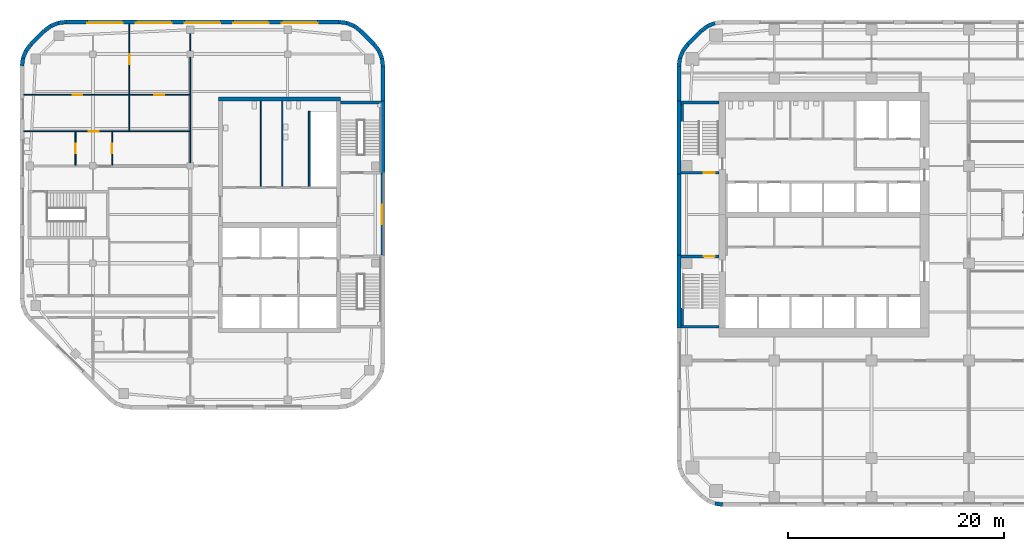
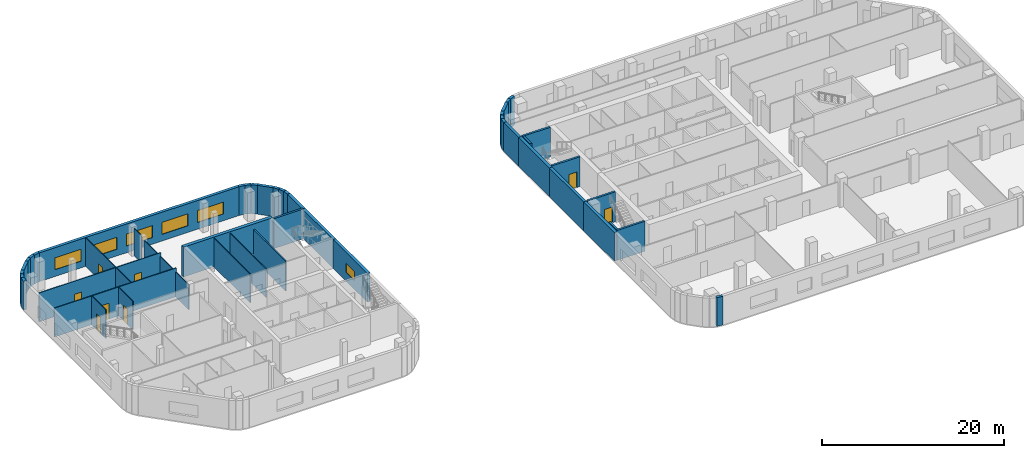
# One storey, part 7 of 14: 50 walls, 8 doors, 6 windows, 14 openings.
"""IFC4 building model written with IfcOpenShell, lengths in metres."""

import ifcopenshell
import ifcopenshell.guid

model = None  # the IFC model being written
_history = None  # IfcOwnerHistory: only IFC2X3 demands one
_inside = {}  # id of a spatial element -> (the spatial element, [elements in it])
_under = {}  # id of a project, library or spatial element -> (it, [spatial elements below it])
_declared = {}  # id of a project -> (the project, [libraries it declares])
_typed = {}  # id of a type object -> (the type object, [elements of that type])
_made_of = {}  # id of a material, layer set ... -> (it, [elements and type objects made of it])


def new_model(schema):
    """Start an empty IFC model of exactly this schema.

    Asked for "IFC4X3", IfcOpenShell would pick the latest addendum, in which some entities
    have other attributes; the version numbers below select the first issue.
    IFC2X3 requires an IfcOwnerHistory on every rooted entity: one is made here for all.
    """
    global model, _history
    if schema == "IFC4X3":
        model = ifcopenshell.file(schema_version=(4, 3, 0, 0))
    else:
        model = ifcopenshell.file(schema=schema)
    _inside.clear()
    _under.clear()
    _declared.clear()
    _typed.clear()
    _made_of.clear()
    _history = None
    if model.schema == "IFC2X3":
        org = make("IfcOrganization", Name="unknown")
        user = make(
            "IfcPersonAndOrganization",
            ThePerson=make("IfcPerson", FamilyName="unknown"),
            TheOrganization=org,
        )
        app = make(
            "IfcApplication",
            ApplicationDeveloper=org,
            Version="unknown",
            ApplicationFullName="unknown",
            ApplicationIdentifier="unknown",
        )
        _history = make(
            "IfcOwnerHistory",
            OwningUser=user,
            OwningApplication=app,
            ChangeAction="ADDED",
            CreationDate=0,
        )
    return model


def make(cls, **values):
    """One entity of the class cls with the attributes given. An attribute that is None is left unset."""
    return model.create_entity(
        cls, **{name: value for name, value in values.items() if value is not None}
    )


def rooted(cls, **values):
    """An entity with a GlobalId (a new one), such as an element, a storey or a relation."""
    return make(cls, GlobalId=ifcopenshell.guid.new(), OwnerHistory=_history, **values)


def si_unit(unit_type, name, prefix=None):
    """IfcSIUnit, for example si_unit("LENGTHUNIT", "METRE", prefix="MILLI")."""
    return make("IfcSIUnit", UnitType=unit_type, Prefix=prefix, Name=name)


def assignment(units):
    """IfcUnitAssignment: the units of a project."""
    return None if units is None else make("IfcUnitAssignment", Units=units)


def point(xyz):
    """IfcCartesianPoint."""
    return None if xyz is None else make("IfcCartesianPoint", Coordinates=xyz)


def direction(xyz):
    """IfcDirection."""
    return None if xyz is None else make("IfcDirection", DirectionRatios=xyz)


def frame(location, z_axis=None, x_axis=None):
    """IfcAxis2Placement3D, a coordinate frame: its origin and axes. An axis left out is left unset."""
    return make(
        "IfcAxis2Placement3D",
        Location=point(location),
        Axis=direction(z_axis),
        RefDirection=direction(x_axis),
    )


def frame_2d(location, x_axis=None):
    """IfcAxis2Placement2D, a coordinate frame in the plane: its origin and x axis."""
    return make(
        "IfcAxis2Placement2D", Location=point(location), RefDirection=direction(x_axis)
    )


def origin():
    """The frame at (0, 0, 0) with its axes left unset."""
    return frame((0.0, 0.0, 0.0))


def place(relative_to, where):
    """IfcLocalPlacement: puts the frame where relative to a parent placement (None: the world)."""
    return make(
        "IfcLocalPlacement", PlacementRelTo=relative_to, RelativePlacement=where
    )


def context(
    kind, dimensions, precision=None, world=None, true_north=None, identifier=None
):
    """IfcGeometricRepresentationContext, for example the 3D "Model" context."""
    return make(
        "IfcGeometricRepresentationContext",
        ContextIdentifier=identifier,
        ContextType=kind,
        CoordinateSpaceDimension=dimensions,
        Precision=precision,
        WorldCoordinateSystem=world,
        TrueNorth=true_north,
    )


def subcontext(parent, identifier, kind, view, scale=None):
    """IfcGeometricRepresentationSubContext, for example "Body" below "Model"."""
    return make(
        "IfcGeometricRepresentationSubContext",
        ContextIdentifier=identifier,
        ContextType=kind,
        ParentContext=parent,
        TargetScale=scale,
        TargetView=view,
    )


def project(units=None, contexts=None):
    """IfcProject with its units and contexts."""
    return rooted(
        "IfcProject",
        Name="project",
        RepresentationContexts=contexts,
        UnitsInContext=assignment(units),
    )


def spatial(cls, under=None, at=None, **own):
    """A site, building, storey or space (cls), placed at a placement, below another one or the project."""
    s = rooted(cls, ObjectPlacement=at, **own)
    if under is not None:
        _under.setdefault(under.id(), (under, []))[1].append(s)
    return s


def profile(cls, at=None, kind="AREA", **sizes):
    """A parametric profile (cls). Its sizes go by their IFC names, for example OverallWidth=200.0."""
    return make(cls, ProfileType=kind, Position=at, **sizes)


def rectangle(**sizes):
    """IfcRectangleProfileDef."""
    return profile("IfcRectangleProfileDef", **sizes)


def extrude(swept, where, along, depth):
    """IfcExtrudedAreaSolid: the profile swept, set in the frame where, extruded along a direction by depth."""
    return make(
        "IfcExtrudedAreaSolid",
        SweptArea=swept,
        Position=where,
        ExtrudedDirection=direction(along),
        Depth=depth,
    )


def shape(context_of_items, identifier, shape_type, items):
    """IfcShapeRepresentation: the items that make up one representation, for example the "Body"."""
    return make(
        "IfcShapeRepresentation",
        ContextOfItems=context_of_items,
        RepresentationIdentifier=identifier,
        RepresentationType=shape_type,
        Items=items,
    )


def material(Name=None, Category=None):
    """IfcMaterial."""
    return make("IfcMaterial", Name=Name, Category=Category)


def layer(
    of_material, thickness, ventilated=None, Name=None, Category=None, Priority=None
):
    """IfcMaterialLayer: one layer of a wall or slab, of a material (None: an air gap)."""
    return make(
        "IfcMaterialLayer",
        Material=of_material,
        LayerThickness=thickness,
        IsVentilated=ventilated,
        Name=Name,
        Category=Category,
        Priority=Priority,
    )


def layer_set(layers, Name=None):
    """IfcMaterialLayerSet."""
    return make("IfcMaterialLayerSet", MaterialLayers=layers, LayerSetName=Name)


def made_of(thing, what):
    """Note that an element or type object is made of a material, layer set ...; save() writes the relation."""
    if what is not None:
        _made_of.setdefault(what.id(), (what, []))[1].append(thing)
    return thing


def type_object(cls, material=None, **own):
    """A type object (cls), such as IfcWallType, which elements share."""
    return made_of(rooted(cls, **own), material)


def element(
    cls,
    number,
    at=None,
    inside=None,
    cuts=None,
    type_object=None,
    material=None,
    context=None,
    identifier="Body",
    shape_type=None,
    held_by="IfcProductDefinitionShape",
    body=None,
    shapes=None,
    **own,
):
    """One element of the class cls, such as IfcWall. Its Tag is "e" and its number.

    at: its placement. inside: the storey or other place that contains it. cuts: it is an
    opening in that element (IfcRelVoidsElement). A single representation is given by context,
    identifier, shape_type and body (its items); several are given by shapes. held_by: the class
    of the entity that holds the representations. save() writes the other relations.
    """
    e = rooted(cls, Tag="e%d" % number, ObjectPlacement=at, **own)
    if body is not None:
        shapes = [shape(context, identifier, shape_type, body)]
    if shapes is not None:
        e.Representation = make(held_by, Representations=shapes)
    if inside is not None:
        _inside.setdefault(inside.id(), (inside, []))[1].append(e)
    if cuts is not None:
        rooted(
            "IfcRelVoidsElement", RelatingBuildingElement=cuts, RelatedOpeningElement=e
        )
    if type_object is not None:
        _typed.setdefault(type_object.id(), (type_object, []))[1].append(e)
    return made_of(e, material)


def fill(opening, filler):
    """IfcRelFillsElement: the door or window that sits in an opening."""
    return rooted(
        "IfcRelFillsElement",
        RelatingOpeningElement=opening,
        RelatedBuildingElement=filler,
    )


def aggregate(whole, parts):
    """IfcRelAggregates: a whole, such as a stair, and the parts it consists of."""
    return rooted("IfcRelAggregates", RelatingObject=whole, RelatedObjects=parts)


def save(model, path):
    """Write the relations noted so far, then the file.

    IfcRelAggregates (storeys below a building ...), IfcRelContainedInSpatialStructure (elements
    in a storey), IfcRelDefinesByType, IfcRelAssociatesMaterial and IfcRelDeclares: one each for
    every whole, place, type object, material and project.
    """
    for whole, parts in _under.values():
        aggregate(whole, parts)
    for where, things in _inside.values():
        rooted(
            "IfcRelContainedInSpatialStructure",
            RelatedElements=things,
            RelatingStructure=where,
        )
    for kind, things in _typed.values():
        rooted("IfcRelDefinesByType", RelatedObjects=things, RelatingType=kind)
    for what, things in _made_of.values():
        rooted("IfcRelAssociatesMaterial", RelatedObjects=things, RelatingMaterial=what)
    for by, libraries in _declared.values():
        rooted("IfcRelDeclares", RelatingContext=by, RelatedDefinitions=libraries)
    model.write(path)


model = new_model("IFC4")

# Units and contexts
model_context = context("Model", 3, precision=1e-05, world=origin(), true_north=direction((0.0, 1.0)))
body_context = subcontext(model_context, "Body", "Model", "MODEL_VIEW")
ifc_project = project(units=[si_unit("LENGTHUNIT", "METRE"), si_unit("AREAUNIT", "SQUARE_METRE"), si_unit("VOLUMEUNIT", "CUBIC_METRE"), si_unit("PLANEANGLEUNIT", "RADIAN"), si_unit("MASSUNIT", "GRAM", prefix="KILO")], contexts=[model_context])

# Site, building, storey
site_placement = place(None, origin())
site = spatial("IfcSite", under=ifc_project, at=site_placement, CompositionType="ELEMENT")
building_placement = place(site_placement, origin())
building = spatial("IfcBuilding", under=site, at=building_placement, Name="Cinnabar Reach Civic Tower", CompositionType="ELEMENT")
storey_placement = place(building_placement, frame((0.0, 0.0, 108.0)))
storey = spatial("IfcBuildingStorey", under=building, at=storey_placement, Name="L25", CompositionType="ELEMENT", Elevation=108.0)

# Walls
ifc_material_1 = material(Name="Facing brick with insulated backing", Category="masonry")
ifc_layer_1 = layer(ifc_material_1, 0.36)
ifc_layer_set_1 = layer_set([ifc_layer_1], Name="Brick corner wall")
wall_type_1 = type_object("IfcWallType", Name="Brick corner wall", PredefinedType="STANDARD", material=ifc_layer_set_1)
wall_1_placement = place(storey_placement, frame((3.5027, 49.2181, 0.0), z_axis=(0.0, 0.0, 1.0), x_axis=(-0.923871547278, -0.382702709855, 0.0)))
element("IfcWall", 1, at=wall_1_placement, inside=storey, type_object=wall_type_1, Name="Brick corner wall", PredefinedType="STANDARD", context=body_context, shape_type="SweptSolid", body=[
    extrude(rectangle(XDim=0.7131, YDim=0.36, at=frame_2d((0.3565, 0.0))), origin(), (0.0, 0.0, 1.0), 3.85),
])
for number, where, z_axis, x_axis, name in (
    (2, (2.8245, 48.934, 0.0), (0.0, 0.0, 1.0), (-0.793321924995, -0.608802368033, 0.0), "Brick corner wall"),
    (3, (1.0002, 47.2413, 0.0), (0.0, 0.0, 1.0), (-0.608802368033, -0.793321924995, 0.0), "Brick corner wall"),
):
    element("IfcWall", number, at=place(storey_placement, frame(where, z_axis=z_axis, x_axis=x_axis)), inside=storey, type_object=wall_type_1, Name=name, PredefinedType="STANDARD", context=body_context, shape_type="SweptSolid", body=[
        extrude(rectangle(XDim=0.7132, YDim=0.36, at=frame_2d((0.3566, 0.0))), origin(), (0.0, 0.0, 1.0), 3.85),
    ])
for number, where, z_axis, x_axis, name in (
    (4, (0.5548, 46.6561, 0.0), (0.0, 0.0, 1.0), (-0.382702709855, -0.923871547278, 0.0), "Brick corner wall"),
    (5, (0.2761, 45.9756, 0.0), (0.0, 0.0, 1.0), (-0.13055608231, -0.99144092581, 0.0), "Brick corner wall"),
    (6, (3.5244, 4.7761, 0.0), (0.0, 0.0, 1.0), (0.99144092581, -0.13055608231, 0.0), "Brick corner wall"),
    (7, (-27.183, 45.2686, 0.0), (0.0, 0.0, 1.0), (-0.13055608231, 0.99144092581, 0.0), "Brick corner wall"),
    (8, (-27.2819, 45.9973, 0.0), (0.0, 0.0, 1.0), (-0.382702709855, 0.923871547278, 0.0), "Brick corner wall"),
):
    element("IfcWall", number, at=place(storey_placement, frame(where, z_axis=z_axis, x_axis=x_axis)), inside=storey, type_object=wall_type_1, Name=name, PredefinedType="STANDARD", context=body_context, shape_type="SweptSolid", body=[
        extrude(rectangle(XDim=0.7131, YDim=0.36, at=frame_2d((0.3565, 0.0))), origin(), (0.0, 0.0, 1.0), 3.85),
    ])
for number, where, z_axis, x_axis, name in (
    (9, (-27.566, 46.6755, 0.0), (0.0, 0.0, 1.0), (-0.608802368033, 0.793321924995, 0.0), "Brick corner wall"),
    (10, (-29.2587, 48.4998, 0.0), (0.0, 0.0, 1.0), (-0.793321924995, 0.608802368033, 0.0), "Brick corner wall"),
):
    element("IfcWall", number, at=place(storey_placement, frame(where, z_axis=z_axis, x_axis=x_axis)), inside=storey, type_object=wall_type_1, Name=name, PredefinedType="STANDARD", context=body_context, shape_type="SweptSolid", body=[
        extrude(rectangle(XDim=0.7132, YDim=0.36, at=frame_2d((0.3566, 0.0))), origin(), (0.0, 0.0, 1.0), 3.85),
    ])
for number, where, z_axis, x_axis, name in (
    (11, (-29.8439, 48.9452, 0.0), (0.0, 0.0, 1.0), (-0.923871547278, 0.382702709855, 0.0), "Brick corner wall"),
    (12, (-30.5244, 49.2239, 0.0), (0.0, 0.0, 1.0), (-0.99144092581, 0.13055608231, 0.0), "Brick corner wall"),
    (13, (-56.5186, 49.317, 0.0), (0.0, 0.0, 1.0), (-0.99144092581, -0.13055608231, 0.0), "Brick corner wall"),
    (14, (-57.2473, 49.2181, 0.0), (0.0, 0.0, 1.0), (-0.923871547278, -0.382702709855, 0.0), "Brick corner wall"),
):
    element("IfcWall", number, at=place(storey_placement, frame(where, z_axis=z_axis, x_axis=x_axis)), inside=storey, type_object=wall_type_1, Name=name, PredefinedType="STANDARD", context=body_context, shape_type="SweptSolid", body=[
        extrude(rectangle(XDim=0.7131, YDim=0.36, at=frame_2d((0.3565, 0.0))), origin(), (0.0, 0.0, 1.0), 3.85),
    ])
for number, where, z_axis, x_axis, name in (
    (15, (-57.9255, 48.934, 0.0), (0.0, 0.0, 1.0), (-0.793321924995, -0.608802368033, 0.0), "Brick corner wall"),
    (16, (-59.7498, 47.2413, 0.0), (0.0, 0.0, 1.0), (-0.608802368033, -0.793321924995, 0.0), "Brick corner wall"),
):
    element("IfcWall", number, at=place(storey_placement, frame(where, z_axis=z_axis, x_axis=x_axis)), inside=storey, type_object=wall_type_1, Name=name, PredefinedType="STANDARD", context=body_context, shape_type="SweptSolid", body=[
        extrude(rectangle(XDim=0.7132, YDim=0.36, at=frame_2d((0.3566, 0.0))), origin(), (0.0, 0.0, 1.0), 3.85),
    ])
for number, where, z_axis, x_axis, name in (
    (17, (-60.1952, 46.6561, 0.0), (0.0, 0.0, 1.0), (-0.382702709855, -0.923871547278, 0.0), "Brick corner wall"),
    (18, (-60.4739, 45.9756, 0.0), (0.0, 0.0, 1.0), (-0.13055608231, -0.99144092581, 0.0), "Brick corner wall"),
):
    element("IfcWall", number, at=place(storey_placement, frame(where, z_axis=z_axis, x_axis=x_axis)), inside=storey, type_object=wall_type_1, Name=name, PredefinedType="STANDARD", context=body_context, shape_type="SweptSolid", body=[
        extrude(rectangle(XDim=0.7131, YDim=0.36, at=frame_2d((0.3565, 0.0))), origin(), (0.0, 0.0, 1.0), 3.85),
    ])
ifc_layer_2 = layer(ifc_material_1, 0.36)
ifc_layer_set_2 = layer_set([ifc_layer_2], Name="Brick pier and spandrel wall")
wall_type_2 = type_object("IfcWallType", Name="Brick pier and spandrel wall", PredefinedType="STANDARD", material=ifc_layer_set_2)
wall_2_placement = place(storey_placement, frame((2.2486, 48.494, 0.0), z_axis=(0.0, 0.0, 1.0), x_axis=(-0.707106781187, -0.707106781187, 0.0)))
element("IfcWall", 19, at=wall_2_placement, inside=storey, type_object=wall_type_2, Name="Brick facade wall", PredefinedType="STANDARD", context=body_context, shape_type="SweptSolid", body=[
    extrude(rectangle(XDim=1.7573, YDim=0.36, at=frame_2d((0.8787, 0.0))), origin(), (0.0, 0.0, 1.0), 3.85),
])
wall_3_placement = place(storey_placement, frame((0.18, 45.2574, 0.0), z_axis=(0.0, 0.0, 1.0), x_axis=(0.0, -1.0, 0.0)))
element("IfcWall", 20, at=wall_3_placement, inside=storey, type_object=wall_type_2, Name="Brick facade wall", PredefinedType="STANDARD", context=body_context, shape_type="SweptSolid", body=[
    extrude(rectangle(XDim=3.2574, YDim=0.36, at=frame_2d((1.6287, 0.0))), origin(), (0.0, 0.0, 1.0), 3.85),
])
wall_4_placement = place(storey_placement, frame((0.18, 42.0, 0.0), z_axis=(0.0, 0.0, 1.0), x_axis=(0.0, -1.0, 0.0)))
element("IfcWall", 21, at=wall_4_placement, inside=storey, type_object=wall_type_2, Name="Brick facade wall", PredefinedType="STANDARD", context=body_context, shape_type="SweptSolid", body=[
    extrude(rectangle(XDim=6.75, YDim=0.36, at=frame_2d((3.375, 0.0))), origin(), (0.0, 0.0, 1.0), 3.85),
])
wall_5_placement = place(storey_placement, frame((0.18, 35.25, 0.0), z_axis=(0.0, 0.0, 1.0), x_axis=(0.0, -1.0, 0.0)))
element("IfcWall", 22, at=wall_5_placement, inside=storey, type_object=wall_type_2, Name="Brick facade wall", PredefinedType="STANDARD", context=body_context, shape_type="SweptSolid", body=[
    extrude(rectangle(XDim=7.5, YDim=0.36, at=frame_2d((3.75, 0.0))), origin(), (0.0, 0.0, 1.0), 3.85),
])
wall_6_placement = place(storey_placement, frame((0.18, 27.75, 0.0), z_axis=(0.0, 0.0, 1.0), x_axis=(0.0, -1.0, 0.0)))
element("IfcWall", 23, at=wall_6_placement, inside=storey, type_object=wall_type_2, Name="Brick facade wall", PredefinedType="STANDARD", context=body_context, shape_type="SweptSolid", body=[
    extrude(rectangle(XDim=6.75, YDim=0.36, at=frame_2d((3.375, 0.0))), origin(), (0.0, 0.0, 1.0), 3.85),
])

# Wall, opening, window
wall_7_placement = place(storey_placement, frame((-27.18, 27.75, 0.0), z_axis=(0.0, 0.0, 1.0), x_axis=(0.0, 1.0, 0.0)))
wall_7 = element("IfcWall", 24, at=wall_7_placement, inside=storey, type_object=wall_type_2, Name="Brick facade wall", PredefinedType="STANDARD", context=body_context, shape_type="SweptSolid", body=[
    extrude(rectangle(XDim=7.5, YDim=0.36, at=frame_2d((3.75, 0.0))), origin(), (0.0, 0.0, 1.0), 3.85),
])
opening_1_placement = place(wall_7_placement, frame((2.85, 0.0, 1.2)))
opening_1 = element("IfcOpeningElement", 25, at=opening_1_placement, cuts=wall_7, Name="Opening W2698", PredefinedType="OPENING", context=body_context, shape_type="SweptSolid", body=[
    extrude(rectangle(XDim=1.8, YDim=1.2, at=frame_2d((0.9, 0.6))), frame((0.0, 0.19, 0.0), z_axis=(0.0, -1.0, 0.0), x_axis=(1.0, 0.0, 0.0)), (0.0, 0.0, 1.0), 0.38),
])
ifc_material_2 = material(Name="Clear double glazing in aluminium frame", Category="aluminium")
window_type_1 = type_object("IfcWindowType", Name="Deep-set window C", PartitioningType="SINGLE_PANEL", PredefinedType="WINDOW", material=ifc_material_2)
window_1_placement = place(opening_1_placement, origin())
window_1 = element("IfcWindow", 26, at=window_1_placement, inside=storey, type_object=window_type_1, Name="Window east face", OverallHeight=1.2, OverallWidth=1.8, PartitioningType="SINGLE_PANEL", PredefinedType="WINDOW", context=body_context, shape_type="SweptSolid", body=[
    extrude(rectangle(XDim=1.8, YDim=1.2, at=frame_2d((0.9, 0.6))), frame((0.0, 0.13, 0.0), z_axis=(0.0, -1.0, 0.0), x_axis=(1.0, 0.0, 0.0)), (0.0, 0.0, 1.0), 0.06),
])
fill(opening_1, window_1)

# Walls
wall_8_placement = place(storey_placement, frame((-27.18, 35.25, 0.0), z_axis=(0.0, 0.0, 1.0), x_axis=(0.0, 1.0, 0.0)))
element("IfcWall", 27, at=wall_8_placement, inside=storey, type_object=wall_type_2, Name="Brick facade wall", PredefinedType="STANDARD", context=body_context, shape_type="SweptSolid", body=[
    extrude(rectangle(XDim=6.75, YDim=0.36, at=frame_2d((3.375, 0.0))), origin(), (0.0, 0.0, 1.0), 3.85),
])
wall_9_placement = place(storey_placement, frame((-27.18, 42.0, 0.0), z_axis=(0.0, 0.0, 1.0), x_axis=(0.0, 1.0, 0.0)))
element("IfcWall", 28, at=wall_9_placement, inside=storey, type_object=wall_type_2, Name="Brick facade wall", PredefinedType="STANDARD", context=body_context, shape_type="SweptSolid", body=[
    extrude(rectangle(XDim=3.2574, YDim=0.36, at=frame_2d((1.6287, 0.0))), origin(), (0.0, 0.0, 1.0), 3.85),
])
wall_10_placement = place(storey_placement, frame((-28.006, 47.2514, 0.0), z_axis=(0.0, 0.0, 1.0), x_axis=(-0.707106781187, 0.707106781187, 0.0)))
element("IfcWall", 29, at=wall_10_placement, inside=storey, type_object=wall_type_2, Name="Brick facade wall", PredefinedType="STANDARD", context=body_context, shape_type="SweptSolid", body=[
    extrude(rectangle(XDim=1.7573, YDim=0.36, at=frame_2d((0.8787, 0.0))), origin(), (0.0, 0.0, 1.0), 3.85),
])

# Wall, openings, windows
wall_11_placement = place(storey_placement, frame((-31.2426, 49.32, 0.0), z_axis=(0.0, 0.0, 1.0), x_axis=(-1.0, 0.0, 0.0)))
wall_11 = element("IfcWall", 30, at=wall_11_placement, inside=storey, type_object=wall_type_2, Name="Brick facade wall", PredefinedType="STANDARD", context=body_context, shape_type="SweptSolid", body=[
    extrude(rectangle(XDim=25.2648, YDim=0.36, at=frame_2d((12.6324, 0.0))), origin(), (0.0, 0.0, 1.0), 3.85),
])
opening_2_placement = place(wall_11_placement, frame((1.9824, 0.0, 0.9)))
opening_2 = element("IfcOpeningElement", 31, at=opening_2_placement, cuts=wall_11, Name="Opening W2699", PredefinedType="OPENING", context=body_context, shape_type="SweptSolid", body=[
    extrude(rectangle(XDim=3.3, YDim=1.6, at=frame_2d((1.65, 0.8))), frame((0.0, 0.19, 0.0), z_axis=(0.0, -1.0, 0.0), x_axis=(1.0, 0.0, 0.0)), (0.0, 0.0, 1.0), 0.38),
])
opening_3_placement = place(wall_11_placement, frame((6.4824, 0.0, 0.9)))
opening_3 = element("IfcOpeningElement", 32, at=opening_3_placement, cuts=wall_11, Name="Opening W2700", PredefinedType="OPENING", context=body_context, shape_type="SweptSolid", body=[
    extrude(rectangle(XDim=3.3, YDim=1.6, at=frame_2d((1.65, 0.8))), frame((0.0, 0.19, 0.0), z_axis=(0.0, -1.0, 0.0), x_axis=(1.0, 0.0, 0.0)), (0.0, 0.0, 1.0), 0.38),
])
opening_4_placement = place(wall_11_placement, frame((10.9824, 0.0, 0.9)))
opening_4 = element("IfcOpeningElement", 33, at=opening_4_placement, cuts=wall_11, Name="Opening W2701", PredefinedType="OPENING", context=body_context, shape_type="SweptSolid", body=[
    extrude(rectangle(XDim=3.3, YDim=1.6, at=frame_2d((1.65, 0.8))), frame((0.0, 0.19, 0.0), z_axis=(0.0, -1.0, 0.0), x_axis=(1.0, 0.0, 0.0)), (0.0, 0.0, 1.0), 0.38),
])
opening_5_placement = place(wall_11_placement, frame((15.4824, 0.0, 0.9)))
opening_5 = element("IfcOpeningElement", 34, at=opening_5_placement, cuts=wall_11, Name="Opening W2702", PredefinedType="OPENING", context=body_context, shape_type="SweptSolid", body=[
    extrude(rectangle(XDim=3.3, YDim=1.6, at=frame_2d((1.65, 0.8))), frame((0.0, 0.19, 0.0), z_axis=(0.0, -1.0, 0.0), x_axis=(1.0, 0.0, 0.0)), (0.0, 0.0, 1.0), 0.38),
])
opening_6_placement = place(wall_11_placement, frame((19.9824, 0.0, 0.9)))
opening_6 = element("IfcOpeningElement", 35, at=opening_6_placement, cuts=wall_11, Name="Opening W2703", PredefinedType="OPENING", context=body_context, shape_type="SweptSolid", body=[
    extrude(rectangle(XDim=3.3, YDim=1.6, at=frame_2d((1.65, 0.8))), frame((0.0, 0.19, 0.0), z_axis=(0.0, -1.0, 0.0), x_axis=(1.0, 0.0, 0.0)), (0.0, 0.0, 1.0), 0.38),
])
window_type_2 = type_object("IfcWindowType", Name="Deep-set window A", PartitioningType="SINGLE_PANEL", PredefinedType="WINDOW", material=ifc_material_2)
window_2_placement = place(opening_2_placement, origin())
window_2 = element("IfcWindow", 36, at=window_2_placement, inside=storey, type_object=window_type_2, Name="Window north face", OverallHeight=1.6, OverallWidth=3.3, PartitioningType="SINGLE_PANEL", PredefinedType="WINDOW", context=body_context, shape_type="SweptSolid", body=[
    extrude(rectangle(XDim=3.3, YDim=1.6, at=frame_2d((1.65, 0.8))), frame((0.0, 0.13, 0.0), z_axis=(0.0, -1.0, 0.0), x_axis=(1.0, 0.0, 0.0)), (0.0, 0.0, 1.0), 0.06),
])
fill(opening_2, window_2)
window_3_placement = place(opening_3_placement, origin())
window_3 = element("IfcWindow", 37, at=window_3_placement, inside=storey, type_object=window_type_2, Name="Window north face", OverallHeight=1.6, OverallWidth=3.3, PartitioningType="SINGLE_PANEL", PredefinedType="WINDOW", context=body_context, shape_type="SweptSolid", body=[
    extrude(rectangle(XDim=3.3, YDim=1.6, at=frame_2d((1.65, 0.8))), frame((0.0, 0.13, 0.0), z_axis=(0.0, -1.0, 0.0), x_axis=(1.0, 0.0, 0.0)), (0.0, 0.0, 1.0), 0.06),
])
fill(opening_3, window_3)
window_4_placement = place(opening_4_placement, origin())
window_4 = element("IfcWindow", 38, at=window_4_placement, inside=storey, type_object=window_type_2, Name="Window north face", OverallHeight=1.6, OverallWidth=3.3, PartitioningType="SINGLE_PANEL", PredefinedType="WINDOW", context=body_context, shape_type="SweptSolid", body=[
    extrude(rectangle(XDim=3.3, YDim=1.6, at=frame_2d((1.65, 0.8))), frame((0.0, 0.13, 0.0), z_axis=(0.0, -1.0, 0.0), x_axis=(1.0, 0.0, 0.0)), (0.0, 0.0, 1.0), 0.06),
])
fill(opening_4, window_4)
window_5_placement = place(opening_5_placement, origin())
window_5 = element("IfcWindow", 39, at=window_5_placement, inside=storey, type_object=window_type_2, Name="Window north face", OverallHeight=1.6, OverallWidth=3.3, PartitioningType="SINGLE_PANEL", PredefinedType="WINDOW", context=body_context, shape_type="SweptSolid", body=[
    extrude(rectangle(XDim=3.3, YDim=1.6, at=frame_2d((1.65, 0.8))), frame((0.0, 0.13, 0.0), z_axis=(0.0, -1.0, 0.0), x_axis=(1.0, 0.0, 0.0)), (0.0, 0.0, 1.0), 0.06),
])
fill(opening_5, window_5)
window_6_placement = place(opening_6_placement, origin())
window_6 = element("IfcWindow", 40, at=window_6_placement, inside=storey, type_object=window_type_2, Name="Window north face", OverallHeight=1.6, OverallWidth=3.3, PartitioningType="SINGLE_PANEL", PredefinedType="WINDOW", context=body_context, shape_type="SweptSolid", body=[
    extrude(rectangle(XDim=3.3, YDim=1.6, at=frame_2d((1.65, 0.8))), frame((0.0, 0.13, 0.0), z_axis=(0.0, -1.0, 0.0), x_axis=(1.0, 0.0, 0.0)), (0.0, 0.0, 1.0), 0.06),
])
fill(opening_6, window_6)

# Walls
wall_12_placement = place(storey_placement, frame((-58.5014, 48.494, 0.0), z_axis=(0.0, 0.0, 1.0), x_axis=(-0.707106781187, -0.707106781187, 0.0)))
element("IfcWall", 41, at=wall_12_placement, inside=storey, type_object=wall_type_2, Name="Brick facade wall", PredefinedType="STANDARD", context=body_context, shape_type="SweptSolid", body=[
    extrude(rectangle(XDim=1.7573, YDim=0.36, at=frame_2d((0.8787, 0.0))), origin(), (0.0, 0.0, 1.0), 3.85),
])
ifc_material_3 = material(Name="Concrete C60", Category="concrete")
ifc_layer_3 = layer(ifc_material_3, 0.4)
ifc_layer_set_3 = layer_set([ifc_layer_3], Name="Core wall 400 EI 180")
wall_type_3 = type_object("IfcWallType", Name="Core wall 400 EI 180", PredefinedType="SOLIDWALL", material=ifc_layer_set_3)
wall_13_placement = place(storey_placement, frame((-31.1, 42.2, 0.0), z_axis=(0.0, 0.0, 1.0), x_axis=(-1.0, 0.0, 0.0)))
element("IfcWall", 42, at=wall_13_placement, inside=storey, type_object=wall_type_3, Name="Core wall T2 L25 N", PredefinedType="SOLIDWALL", context=body_context, shape_type="SweptSolid", body=[
    extrude(rectangle(XDim=11.3, YDim=0.4, at=frame_2d((5.65, 0.0))), origin(), (0.0, 0.0, 1.0), 4.0),
])

# Wall, opening, door
ifc_material_4 = material(Name="Gypsum board on steel studs", Category="steel")
ifc_layer_4 = layer(ifc_material_4, 0.1)
ifc_layer_set_4 = layer_set([ifc_layer_4], Name="Partition wall 100 T2")
wall_type_4 = type_object("IfcWallType", Name="Partition wall 100 T2", PredefinedType="PARTITIONING", material=ifc_layer_set_4)
wall_14_placement = place(storey_placement, frame((-60.39, 39.2, 0.0), z_axis=(0.0, 0.0, 1.0), x_axis=(1.0, 0.0, 0.0)))
wall_14 = element("IfcWall", 43, at=wall_14_placement, inside=storey, type_object=wall_type_4, Name="Partition wall 9", PredefinedType="PARTITIONING", context=body_context, shape_type="SweptSolid", body=[
    extrude(rectangle(XDim=15.44, YDim=0.1, at=frame_2d((7.72, 0.0))), origin(), (0.0, 0.0, 1.0), 3.85),
])
opening_7_placement = place(wall_14_placement, frame((6.0209, 0.0, 0.0)))
opening_7 = element("IfcOpeningElement", 44, at=opening_7_placement, cuts=wall_14, Name="Opening D6932", PredefinedType="OPENING", context=body_context, shape_type="SweptSolid", body=[
    extrude(rectangle(XDim=0.9, YDim=2.1, at=frame_2d((0.45, 1.05))), frame((0.0, 0.06, 0.0), z_axis=(0.0, -1.0, 0.0), x_axis=(1.0, 0.0, 0.0)), (0.0, 0.0, 1.0), 0.12),
])
ifc_material_5 = material(Name="Timber door leaf in steel frame", Category="steel")
door_type_1 = type_object("IfcDoorType", Name="Single swing door 900 x 2100 T2", OperationType="SINGLE_SWING_LEFT", PredefinedType="DOOR", material=ifc_material_5)
door_1_placement = place(opening_7_placement, frame((0.9, 0.0, 0.0), z_axis=(0.0, 0.0, 1.0), x_axis=(-1.0, 0.0, 0.0)))
door_1 = element("IfcDoor", 45, at=door_1_placement, inside=storey, type_object=door_type_1, Name="Door D6932", OperationType="SINGLE_SWING_LEFT", OverallHeight=2.1, OverallWidth=0.9, PredefinedType="DOOR", context=body_context, shape_type="SweptSolid", body=[
    extrude(rectangle(XDim=0.9, YDim=2.1, at=frame_2d((0.45, 1.05))), frame((0.0, 0.025, 0.0), z_axis=(0.0, -1.0, 0.0), x_axis=(1.0, 0.0, 0.0)), (0.0, 0.0, 1.0), 0.05),
])
fill(opening_7, door_1)

# Wall, openings, doors
wall_15_placement = place(storey_placement, frame((-60.39, 42.5681, 0.0), z_axis=(0.0, 0.0, 1.0), x_axis=(1.0, 0.0, 0.0)))
wall_15 = element("IfcWall", 46, at=wall_15_placement, inside=storey, type_object=wall_type_4, Name="Partition wall 10", PredefinedType="PARTITIONING", context=body_context, shape_type="SweptSolid", body=[
    extrude(rectangle(XDim=15.44, YDim=0.1, at=frame_2d((7.72, 0.0))), origin(), (0.0, 0.0, 1.0), 3.85),
])
opening_8_placement = place(wall_15_placement, frame((4.5, 0.0, 0.0)))
opening_8 = element("IfcOpeningElement", 47, at=opening_8_placement, cuts=wall_15, Name="Opening D6934", PredefinedType="OPENING", context=body_context, shape_type="SweptSolid", body=[
    extrude(rectangle(XDim=0.9, YDim=2.1, at=frame_2d((0.45, 1.05))), frame((0.0, 0.06, 0.0), z_axis=(0.0, -1.0, 0.0), x_axis=(1.0, 0.0, 0.0)), (0.0, 0.0, 1.0), 0.12),
])
opening_9_placement = place(wall_15_placement, frame((12.06, 0.0, 0.0)))
opening_9 = element("IfcOpeningElement", 48, at=opening_9_placement, cuts=wall_15, Name="Opening D6935", PredefinedType="OPENING", context=body_context, shape_type="SweptSolid", body=[
    extrude(rectangle(XDim=0.9, YDim=2.1, at=frame_2d((0.45, 1.05))), frame((0.0, 0.06, 0.0), z_axis=(0.0, -1.0, 0.0), x_axis=(1.0, 0.0, 0.0)), (0.0, 0.0, 1.0), 0.12),
])
door_2_placement = place(opening_8_placement, frame((0.9, 0.0, 0.0), z_axis=(0.0, 0.0, 1.0), x_axis=(-1.0, 0.0, 0.0)))
door_2 = element("IfcDoor", 49, at=door_2_placement, inside=storey, type_object=door_type_1, Name="Door D6934", OperationType="SINGLE_SWING_RIGHT", OverallHeight=2.1, OverallWidth=0.9, PredefinedType="DOOR", context=body_context, shape_type="SweptSolid", body=[
    extrude(rectangle(XDim=0.9, YDim=2.1, at=frame_2d((0.45, 1.05))), frame((0.0, 0.025, 0.0), z_axis=(0.0, -1.0, 0.0), x_axis=(1.0, 0.0, 0.0)), (0.0, 0.0, 1.0), 0.05),
])
fill(opening_8, door_2)
door_3_placement = place(opening_9_placement, origin())
door_3 = element("IfcDoor", 50, at=door_3_placement, inside=storey, type_object=door_type_1, Name="Door D6935", OperationType="SINGLE_SWING_RIGHT", OverallHeight=2.1, OverallWidth=0.9, PredefinedType="DOOR", context=body_context, shape_type="SweptSolid", body=[
    extrude(rectangle(XDim=0.9, YDim=2.1, at=frame_2d((0.45, 1.05))), frame((0.0, 0.025, 0.0), z_axis=(0.0, -1.0, 0.0), x_axis=(1.0, 0.0, 0.0)), (0.0, 0.0, 1.0), 0.05),
])
fill(opening_9, door_3)

# Walls
wall_16_placement = place(storey_placement, frame((-45.0, 42.6181, 0.0), z_axis=(0.0, 0.0, 1.0), x_axis=(0.0, 1.0, 0.0)))
element("IfcWall", 51, at=wall_16_placement, inside=storey, type_object=wall_type_4, Name="Partition wall 11", PredefinedType="PARTITIONING", context=body_context, shape_type="SweptSolid", body=[
    extrude(rectangle(XDim=3.4319, YDim=0.1, at=frame_2d((1.716, 0.0))), origin(), (0.0, 0.0, 1.0), 3.362),
])
wall_17_placement = place(storey_placement, frame((-45.0, 39.25, 0.0), z_axis=(0.0, 0.0, 1.0), x_axis=(0.0, 1.0, 0.0)))
element("IfcWall", 52, at=wall_17_placement, inside=storey, type_object=wall_type_4, Name="Partition wall 12", PredefinedType="PARTITIONING", context=body_context, shape_type="SweptSolid", body=[
    extrude(rectangle(XDim=3.2681, YDim=0.1, at=frame_2d((1.6341, 0.0))), origin(), (0.0, 0.0, 1.0), 3.362),
])
wall_18_placement = place(storey_placement, frame((-45.0, 36.3, 0.0), z_axis=(0.0, 0.0, 1.0), x_axis=(0.0, 1.0, 0.0)))
element("IfcWall", 53, at=wall_18_placement, inside=storey, type_object=wall_type_4, Name="Partition wall 13", PredefinedType="PARTITIONING", context=body_context, shape_type="SweptSolid", body=[
    extrude(rectangle(XDim=2.85, YDim=0.1, at=frame_2d((1.425, 0.0))), origin(), (0.0, 0.0, 1.0), 3.362),
])
wall_19_placement = place(storey_placement, frame((-45.0, 46.65, 0.0), z_axis=(0.0, 0.0, 1.0), x_axis=(0.0, 1.0, 0.0)))
element("IfcWall", 54, at=wall_19_placement, inside=storey, type_object=wall_type_4, Name="Partition wall 14", PredefinedType="PARTITIONING", context=body_context, shape_type="SweptSolid", body=[
    extrude(rectangle(XDim=1.6, YDim=0.1, at=frame_2d((0.8, 0.0))), origin(), (0.0, 0.0, 1.0), 3.652),
])
wall_20_placement = place(storey_placement, frame((-50.63, 39.25, 0.0), z_axis=(0.0, 0.0, 1.0), x_axis=(0.0, 1.0, 0.0)))
element("IfcWall", 55, at=wall_20_placement, inside=storey, type_object=wall_type_4, Name="Partition wall 15", PredefinedType="PARTITIONING", context=body_context, shape_type="SweptSolid", body=[
    extrude(rectangle(XDim=3.2681, YDim=0.1, at=frame_2d((1.6341, 0.0))), origin(), (0.0, 0.0, 1.0), 3.85),
])

# Wall, opening, door
wall_21_placement = place(storey_placement, frame((-50.63, 42.6181, 0.0), z_axis=(0.0, 0.0, 1.0), x_axis=(0.0, 1.0, 0.0)))
wall_21 = element("IfcWall", 56, at=wall_21_placement, inside=storey, type_object=wall_type_4, Name="Partition wall 16", PredefinedType="PARTITIONING", context=body_context, shape_type="SweptSolid", body=[
    extrude(rectangle(XDim=6.5219, YDim=0.1, at=frame_2d((3.2609, 0.0))), origin(), (0.0, 0.0, 1.0), 3.85),
])
opening_10_placement = place(wall_21_placement, frame((2.8, 0.0, 0.0)))
opening_10 = element("IfcOpeningElement", 57, at=opening_10_placement, cuts=wall_21, Name="Opening D6933", PredefinedType="OPENING", context=body_context, shape_type="SweptSolid", body=[
    extrude(rectangle(XDim=0.9, YDim=2.1, at=frame_2d((0.45, 1.05))), frame((0.0, 0.06, 0.0), z_axis=(0.0, -1.0, 0.0), x_axis=(1.0, 0.0, 0.0)), (0.0, 0.0, 1.0), 0.12),
])
door_4_placement = place(opening_10_placement, frame((0.9, 0.0, 0.0), z_axis=(0.0, 0.0, 1.0), x_axis=(-1.0, 0.0, 0.0)))
door_4 = element("IfcDoor", 58, at=door_4_placement, inside=storey, type_object=door_type_1, Name="Door D6933", OperationType="SINGLE_SWING_RIGHT", OverallHeight=2.1, OverallWidth=0.9, PredefinedType="DOOR", context=body_context, shape_type="SweptSolid", body=[
    extrude(rectangle(XDim=0.9, YDim=2.1, at=frame_2d((0.45, 1.05))), frame((0.0, 0.025, 0.0), z_axis=(0.0, -1.0, 0.0), x_axis=(1.0, 0.0, 0.0)), (0.0, 0.0, 1.0), 0.05),
])
fill(opening_10, door_4)

wall_22_placement = place(storey_placement, frame((-55.6191, 36.075, 0.0), z_axis=(0.0, 0.0, 1.0), x_axis=(0.0, 1.0, 0.0)))
wall_22 = element("IfcWall", 59, at=wall_22_placement, inside=storey, type_object=wall_type_4, Name="Partition wall 27", PredefinedType="PARTITIONING", context=body_context, shape_type="SweptSolid", body=[
    extrude(rectangle(XDim=3.075, YDim=0.1, at=frame_2d((1.5375, 0.0))), origin(), (0.0, 0.0, 1.0), 3.85),
])
opening_11_placement = place(wall_22_placement, frame((1.1, 0.0, 0.0)))
opening_11 = element("IfcOpeningElement", 60, at=opening_11_placement, cuts=wall_22, Name="Opening D6930", PredefinedType="OPENING", context=body_context, shape_type="SweptSolid", body=[
    extrude(rectangle(XDim=0.9, YDim=2.1, at=frame_2d((0.45, 1.05))), frame((0.0, 0.06, 0.0), z_axis=(0.0, -1.0, 0.0), x_axis=(1.0, 0.0, 0.0)), (0.0, 0.0, 1.0), 0.12),
])
door_5_placement = place(opening_11_placement, origin())
door_5 = element("IfcDoor", 61, at=door_5_placement, inside=storey, type_object=door_type_1, Name="Door D6930", OperationType="SINGLE_SWING_LEFT", OverallHeight=2.1, OverallWidth=0.9, PredefinedType="DOOR", context=body_context, shape_type="SweptSolid", body=[
    extrude(rectangle(XDim=0.9, YDim=2.1, at=frame_2d((0.45, 1.05))), frame((0.0, 0.025, 0.0), z_axis=(0.0, -1.0, 0.0), x_axis=(1.0, 0.0, 0.0)), (0.0, 0.0, 1.0), 0.05),
])
fill(opening_11, door_5)

wall_23_placement = place(storey_placement, frame((-52.2333, 36.075, 0.0), z_axis=(0.0, 0.0, 1.0), x_axis=(0.0, 1.0, 0.0)))
wall_23 = element("IfcWall", 62, at=wall_23_placement, inside=storey, type_object=wall_type_4, Name="Partition wall 28", PredefinedType="PARTITIONING", context=body_context, shape_type="SweptSolid", body=[
    extrude(rectangle(XDim=3.075, YDim=0.1, at=frame_2d((1.5375, 0.0))), origin(), (0.0, 0.0, 1.0), 3.85),
])
opening_12_placement = place(wall_23_placement, frame((1.1, 0.0, 0.0)))
opening_12 = element("IfcOpeningElement", 63, at=opening_12_placement, cuts=wall_23, Name="Opening D6931", PredefinedType="OPENING", context=body_context, shape_type="SweptSolid", body=[
    extrude(rectangle(XDim=0.9, YDim=2.1, at=frame_2d((0.45, 1.05))), frame((0.0, 0.06, 0.0), z_axis=(0.0, -1.0, 0.0), x_axis=(1.0, 0.0, 0.0)), (0.0, 0.0, 1.0), 0.12),
])
door_6_placement = place(opening_12_placement, origin())
door_6 = element("IfcDoor", 64, at=door_6_placement, inside=storey, type_object=door_type_1, Name="Door D6931", OperationType="SINGLE_SWING_LEFT", OverallHeight=2.1, OverallWidth=0.9, PredefinedType="DOOR", context=body_context, shape_type="SweptSolid", body=[
    extrude(rectangle(XDim=0.9, YDim=2.1, at=frame_2d((0.45, 1.05))), frame((0.0, 0.025, 0.0), z_axis=(0.0, -1.0, 0.0), x_axis=(1.0, 0.0, 0.0)), (0.0, 0.0, 1.0), 0.05),
])
fill(opening_12, door_6)

# Wall
ifc_layer_5 = layer(ifc_material_3, 0.25)
ifc_layer_set_5 = layer_set([ifc_layer_5], Name="Stair shaft wall 250 EI 120")
wall_type_5 = type_object("IfcWallType", Name="Stair shaft wall 250 EI 120", PredefinedType="SOLIDWALL", material=ifc_layer_set_5)
wall_24_placement = place(storey_placement, frame((0.36, 21.125, 0.0), z_axis=(0.0, 0.0, 1.0), x_axis=(1.0, 0.0, 0.0)))
element("IfcWall", 65, at=wall_24_placement, inside=storey, type_object=wall_type_5, Name="Stair shaft wall T1-S1 L25", PredefinedType="SOLIDWALL", context=body_context, shape_type="SweptSolid", body=[
    extrude(rectangle(XDim=3.54, YDim=0.25, at=frame_2d((1.77, 0.0))), origin(), (0.0, 0.0, 1.0), 4.0),
])

# Wall, opening, door
wall_25_placement = place(storey_placement, frame((3.9, 27.625, 0.0), z_axis=(0.0, 0.0, 1.0), x_axis=(-1.0, 0.0, 0.0)))
wall_25 = element("IfcWall", 66, at=wall_25_placement, inside=storey, type_object=wall_type_5, Name="Stair shaft wall T1-S1 L25", PredefinedType="SOLIDWALL", context=body_context, shape_type="SweptSolid", body=[
    extrude(rectangle(XDim=3.54, YDim=0.25, at=frame_2d((1.77, 0.0))), origin(), (0.0, 0.0, 1.0), 4.0),
])
opening_13_placement = place(wall_25_placement, frame((0.4, 0.0, 0.0)))
opening_13 = element("IfcOpeningElement", 67, at=opening_13_placement, cuts=wall_25, Name="Opening D4006", PredefinedType="OPENING", context=body_context, shape_type="SweptSolid", body=[
    extrude(rectangle(XDim=1.0, YDim=2.1, at=frame_2d((0.5, 1.05))), frame((0.0, 0.135, 0.0), z_axis=(0.0, -1.0, 0.0), x_axis=(1.0, 0.0, 0.0)), (0.0, 0.0, 1.0), 0.27),
])
door_type_2 = type_object("IfcDoorType", Name="Stair door 1000 x 2100 T1", OperationType="SINGLE_SWING_LEFT", PredefinedType="DOOR", material=ifc_material_5)
door_7_placement = place(opening_13_placement, origin())
door_7 = element("IfcDoor", 68, at=door_7_placement, inside=storey, type_object=door_type_2, Name="Door D4006", OperationType="SINGLE_SWING_LEFT", OverallHeight=2.1, OverallWidth=1.0, PredefinedType="DOOR", context=body_context, shape_type="SweptSolid", body=[
    extrude(rectangle(XDim=1.0, YDim=2.1, at=frame_2d((0.5, 1.05))), frame((0.0, 0.025, 0.0), z_axis=(0.0, -1.0, 0.0), x_axis=(1.0, 0.0, 0.0)), (0.0, 0.0, 1.0), 0.05),
])
fill(opening_13, door_7)

wall_26_placement = place(storey_placement, frame((0.36, 35.375, 0.0), z_axis=(0.0, 0.0, 1.0), x_axis=(1.0, 0.0, 0.0)))
wall_26 = element("IfcWall", 69, at=wall_26_placement, inside=storey, type_object=wall_type_5, Name="Stair shaft wall T1-S2 L25", PredefinedType="SOLIDWALL", context=body_context, shape_type="SweptSolid", body=[
    extrude(rectangle(XDim=3.54, YDim=0.25, at=frame_2d((1.77, 0.0))), origin(), (0.0, 0.0, 1.0), 4.0),
])
opening_14_placement = place(wall_26_placement, frame((2.14, 0.0, 0.0)))
opening_14 = element("IfcOpeningElement", 70, at=opening_14_placement, cuts=wall_26, Name="Opening D4008", PredefinedType="OPENING", context=body_context, shape_type="SweptSolid", body=[
    extrude(rectangle(XDim=1.0, YDim=2.1, at=frame_2d((0.5, 1.05))), frame((0.0, 0.135, 0.0), z_axis=(0.0, -1.0, 0.0), x_axis=(1.0, 0.0, 0.0)), (0.0, 0.0, 1.0), 0.27),
])
door_8_placement = place(opening_14_placement, origin())
door_8 = element("IfcDoor", 71, at=door_8_placement, inside=storey, type_object=door_type_2, Name="Door D4008", OperationType="SINGLE_SWING_RIGHT", OverallHeight=2.1, OverallWidth=1.0, PredefinedType="DOOR", context=body_context, shape_type="SweptSolid", body=[
    extrude(rectangle(XDim=1.0, YDim=2.1, at=frame_2d((0.5, 1.05))), frame((0.0, 0.025, 0.0), z_axis=(0.0, -1.0, 0.0), x_axis=(1.0, 0.0, 0.0)), (0.0, 0.0, 1.0), 0.05),
])
fill(opening_14, door_8)

# Walls
wall_27_placement = place(storey_placement, frame((3.9, 41.875, 0.0), z_axis=(0.0, 0.0, 1.0), x_axis=(-1.0, 0.0, 0.0)))
element("IfcWall", 72, at=wall_27_placement, inside=storey, type_object=wall_type_5, Name="Stair shaft wall T1-S2 L25", PredefinedType="SOLIDWALL", context=body_context, shape_type="SweptSolid", body=[
    extrude(rectangle(XDim=3.54, YDim=0.25, at=frame_2d((1.77, 0.0))), origin(), (0.0, 0.0, 1.0), 4.0),
])
wall_28_placement = place(storey_placement, frame((-27.36, 41.875, 0.0), z_axis=(0.0, 0.0, 1.0), x_axis=(-1.0, 0.0, 0.0)))
element("IfcWall", 73, at=wall_28_placement, inside=storey, type_object=wall_type_5, Name="Stair shaft wall T2-S2 L25", PredefinedType="SOLIDWALL", context=body_context, shape_type="SweptSolid", body=[
    extrude(rectangle(XDim=3.74, YDim=0.25, at=frame_2d((1.87, 0.0))), origin(), (0.0, 0.0, 1.0), 4.0),
])
ifc_material_6 = material(Name="Concrete C40/50", Category="concrete")
ifc_layer_6 = layer(ifc_material_6, 0.24)
ifc_layer_set_6 = layer_set([ifc_layer_6], Name="T1 landing bearer wall 240")
wall_type_6 = type_object("IfcWallType", Name="T1 landing bearer wall 240", PredefinedType="STANDARD", material=ifc_layer_set_6)
for number, where, z_axis, x_axis, name in (
    (74, (0.48, 21.25, 0.0), (0.0, 0.0, 1.0), (0.0, 1.0, 0.0), "T1-S1 landing bearer wall"),
    (75, (0.48, 40.13, 0.0), (0.0, 0.0, 1.0), (0.0, 1.0, 0.0), "T1-S2 landing bearer wall"),
):
    element("IfcWall", number, at=place(storey_placement, frame(where, z_axis=z_axis, x_axis=x_axis)), inside=storey, type_object=wall_type_6, Name=name, PredefinedType="STANDARD", context=body_context, shape_type="SweptSolid", body=[
        extrude(rectangle(XDim=1.62, YDim=0.24, at=frame_2d((0.81, 0.0))), origin(), (0.0, 0.0, 1.0), 4.0),
    ])
ifc_material_7 = material(Name="Gypsum board partition")
ifc_layer_7 = layer(ifc_material_7, 0.1)
ifc_layer_set_7 = layer_set([ifc_layer_7], Name="T2 Internal partition 100")
wall_type_7 = type_object("IfcWallType", Name="T2 Internal partition 100", PredefinedType="PARTITIONING", material=ifc_layer_set_7)
for number, where, z_axis, x_axis, name in (
    (76, (-38.5, 34.075, 0.0), (0.0, 0.0, 1.0), (0.0, 1.0, 0.0), "T2 Internal partition L25 017"),
    (77, (-36.5, 34.075, 0.0), (0.0, 0.0, 1.0), (0.0, 1.0, 0.0), "T2 Internal partition L25 018"),
):
    element("IfcWall", number, at=place(storey_placement, frame(where, z_axis=z_axis, x_axis=x_axis)), inside=storey, type_object=wall_type_7, Name=name, PredefinedType="PARTITIONING", context=body_context, shape_type="SweptSolid", body=[
        extrude(rectangle(XDim=7.925, YDim=0.1, at=frame_2d((3.9625, 0.0))), origin(), (0.0, 0.0, 1.0), 3.85),
    ])
ifc_material_8 = material(Name="Concrete C40", Category="concrete")
ifc_layer_8 = layer(ifc_material_8, 0.15)
ifc_layer_set_8 = layer_set([ifc_layer_8], Name="T2 Riser wall 150")
wall_type_8 = type_object("IfcWallType", Name="T2 Riser wall 150", PredefinedType="SOLIDWALL", material=ifc_layer_set_8)
wall_29_placement = place(storey_placement, frame((-34.0, 41.075, 0.0), z_axis=(0.0, 0.0, 1.0), x_axis=(0.0, -1.0, 0.0)))
element("IfcWall", 78, at=wall_29_placement, inside=storey, type_object=wall_type_8, Name="T2 Riser wall L25 013", PredefinedType="SOLIDWALL", context=body_context, shape_type="SweptSolid", body=[
    extrude(rectangle(XDim=7.0, YDim=0.15, at=frame_2d((3.5, 0.0))), origin(), (0.0, 0.0, 1.0), 4.0),
])

save(model, "model.ifc")
